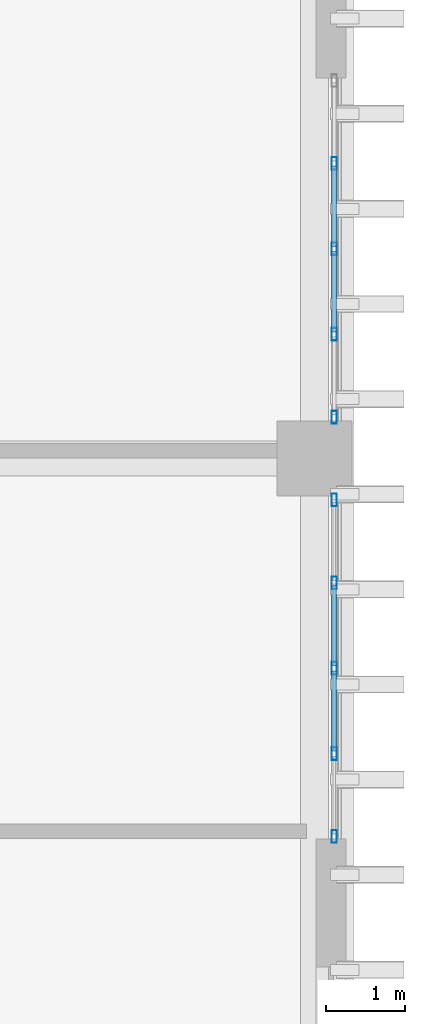
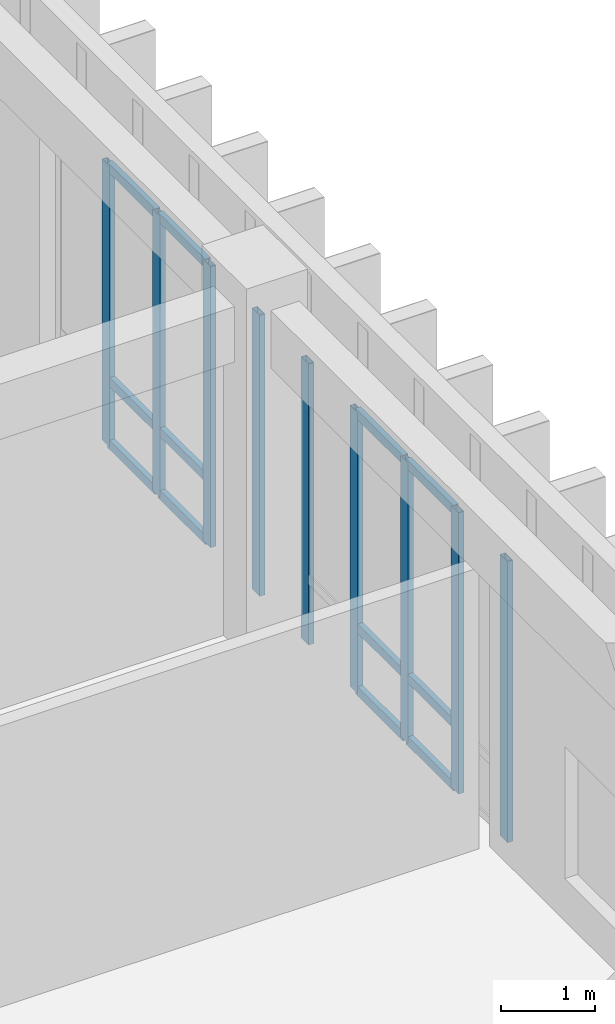
# One storey, part 59 of 133: 21 members, 2 elements without a shape of their own.
"""IFC4 building model written with IfcOpenShell, lengths in metres."""

from ifc_helpers import new_model, si_unit, direction, frame, origin, origin_2d, place, context, subcontext, project, spatial, hollow_rectangle, extrude, material, layer, layer_set, material_profile, profile_set, type_object, element, aggregate, save


model = new_model("IFC4")

# Units and contexts
model_context = context("Model", 3, precision=1e-05, world=origin(), true_north=direction((0.0, 1.0)))
body_context = subcontext(model_context, "Body", "Model", "MODEL_VIEW")
ifc_project = project(units=[si_unit("LENGTHUNIT", "METRE"), si_unit("AREAUNIT", "SQUARE_METRE"), si_unit("VOLUMEUNIT", "CUBIC_METRE"), si_unit("PLANEANGLEUNIT", "RADIAN"), si_unit("MASSUNIT", "GRAM", prefix="KILO")], contexts=[model_context])

# Site, building, storey
site_placement = place(None, origin())
site = spatial("IfcSite", under=ifc_project, at=site_placement, CompositionType="ELEMENT")
building_placement = place(site_placement, origin())
building = spatial("IfcBuilding", under=site, at=building_placement, Name="Nakhvara Creek Congress Hotel", CompositionType="ELEMENT")
storey_placement = place(building_placement, frame((0.0, 0.0, 11.39990234375)))
storey = spatial("IfcBuildingStorey", under=building, at=storey_placement, Name="L02", CompositionType="ELEMENT", Elevation=11.39990234375)

# Curtain wall, members
ifc_material_1 = material(Name="Bronze-anodised aluminium AW-6063-T6 and double-silver low-E glass", Category="aluminium")
ifc_layer = layer(ifc_material_1, 0.199951171875)
ifc_layer_set = layer_set([ifc_layer], Name="Bronze-anodised aluminium AW-6063-T6 and double-silver low-E glass")
curtain_wall_type = type_object("IfcCurtainWallType", Name="CW-HTL-UNIT", PredefinedType="USERDEFINED", material=ifc_layer_set)
curtain_wall_1_placement = place(storey_placement, origin())
curtain_wall_1 = element("IfcCurtainWall", 1, at=curtain_wall_1_placement, inside=storey, type_object=curtain_wall_type, Name="Curtain Wall CW130", ObjectType="UNITISED", PredefinedType="USERDEFINED")
ifc_material_2 = material(Name="Bronze-anodised aluminium AW-6063-T6", Category="aluminium")
ifc_material_profile_1 = material_profile(ifc_material_2, hollow_rectangle(XDim=0.06494140625, YDim=0.159912109375, WallThickness=0.00390625, at=origin_2d()), Name="ALU-MULL 65x160x4", Category="LoadBearing")
ifc_profile_set_1 = profile_set([ifc_material_profile_1], Name="Bronze-anodised aluminium AW-6063-T6")
member_type_1 = type_object("IfcMemberType", Name="CW-MULL-160", PredefinedType="MULLION", material=ifc_profile_set_1)
member_1_placement = place(storey_placement, frame((179.60009765625, 18.677490234375, 0.0), z_axis=(0.0, 0.0, 1.0), x_axis=(1.0, 0.0, 0.0)))
member_1 = element("IfcMember", 2, at=member_1_placement, type_object=member_type_1, Name="CW130 mullion 1", PredefinedType="MULLION", context=body_context, shape_type="SweptSolid", body=[
    extrude(hollow_rectangle(XDim=0.06494140625, YDim=0.159912109375, WallThickness=0.00390625, at=origin_2d()), origin(), (0.0, 0.0, 1.0), 3.662109375),
])
member_2_placement = place(storey_placement, frame((179.60009765625, 17.632568359375, 0.0), z_axis=(0.0, 0.0, 1.0), x_axis=(1.0, 0.0, 0.0)))
member_2 = element("IfcMember", 3, at=member_2_placement, type_object=member_type_1, Name="CW130 mullion 2", PredefinedType="MULLION", context=body_context, shape_type="SweptSolid", body=[
    extrude(hollow_rectangle(XDim=0.06494140625, YDim=0.159912109375, WallThickness=0.00390625, at=origin_2d()), origin(), (0.0, 0.0, 1.0), 3.662109375),
])
member_3_placement = place(storey_placement, frame((179.60009765625, 16.554931640625, 0.0), z_axis=(0.0, 0.0, 1.0), x_axis=(1.0, 0.0, 0.0)))
member_3 = element("IfcMember", 4, at=member_3_placement, type_object=member_type_1, Name="CW130 mullion 3", PredefinedType="MULLION", context=body_context, shape_type="SweptSolid", body=[
    extrude(hollow_rectangle(XDim=0.06494140625, YDim=0.159912109375, WallThickness=0.00390625, at=origin_2d()), origin(), (0.0, 0.0, 1.0), 3.662109375),
])
member_4_placement = place(storey_placement, frame((179.60009765625, 15.4775390625, 0.0), z_axis=(0.0, 0.0, 1.0), x_axis=(1.0, 0.0, 0.0)))
member_4 = element("IfcMember", 5, at=member_4_placement, type_object=member_type_1, Name="CW130 mullion 4", PredefinedType="MULLION", context=body_context, shape_type="SweptSolid", body=[
    extrude(hollow_rectangle(XDim=0.06494140625, YDim=0.159912109375, WallThickness=0.00390625, at=origin_2d()), origin(), (0.0, 0.0, 1.0), 3.662109375),
])
member_5_placement = place(storey_placement, frame((179.60009765625, 14.4326171875, 0.0), z_axis=(0.0, 0.0, 1.0), x_axis=(1.0, 0.0, 0.0)))
member_5 = element("IfcMember", 6, at=member_5_placement, type_object=member_type_1, Name="CW130 mullion 5", PredefinedType="MULLION", context=body_context, shape_type="SweptSolid", body=[
    extrude(hollow_rectangle(XDim=0.06494140625, YDim=0.159912109375, WallThickness=0.00390625, at=origin_2d()), origin(), (0.0, 0.0, 1.0), 3.662109375),
])

curtain_wall_2_placement = place(storey_placement, origin())
curtain_wall_2 = element("IfcCurtainWall", 7, at=curtain_wall_2_placement, inside=storey, type_object=curtain_wall_type, Name="Curtain Wall CW131", ObjectType="UNITISED", PredefinedType="USERDEFINED")
member_6_placement = place(storey_placement, frame((179.60009765625, 22.922607421875, 0.0), z_axis=(0.0, 0.0, 1.0), x_axis=(1.0, 0.0, 0.0)))
member_6 = element("IfcMember", 8, at=member_6_placement, type_object=member_type_1, Name="CW131 mullion 2", PredefinedType="MULLION", context=body_context, shape_type="SweptSolid", body=[
    extrude(hollow_rectangle(XDim=0.06494140625, YDim=0.159912109375, WallThickness=0.00390625, at=origin_2d()), origin(), (0.0, 0.0, 1.0), 3.662109375),
])
member_7_placement = place(storey_placement, frame((179.60009765625, 21.844970703125, 0.0), z_axis=(0.0, 0.0, 1.0), x_axis=(1.0, 0.0, 0.0)))
member_7 = element("IfcMember", 9, at=member_7_placement, type_object=member_type_1, Name="CW131 mullion 3", PredefinedType="MULLION", context=body_context, shape_type="SweptSolid", body=[
    extrude(hollow_rectangle(XDim=0.06494140625, YDim=0.159912109375, WallThickness=0.00390625, at=origin_2d()), origin(), (0.0, 0.0, 1.0), 3.662109375),
])
member_8_placement = place(storey_placement, frame((179.60009765625, 20.767578125, 0.0), z_axis=(0.0, 0.0, 1.0), x_axis=(1.0, 0.0, 0.0)))
member_8 = element("IfcMember", 10, at=member_8_placement, type_object=member_type_1, Name="CW131 mullion 4", PredefinedType="MULLION", context=body_context, shape_type="SweptSolid", body=[
    extrude(hollow_rectangle(XDim=0.06494140625, YDim=0.159912109375, WallThickness=0.00390625, at=origin_2d()), origin(), (0.0, 0.0, 1.0), 3.662109375),
])
member_9_placement = place(storey_placement, frame((179.60009765625, 19.722412109375, 0.0), z_axis=(0.0, 0.0, 1.0), x_axis=(1.0, 0.0, 0.0)))
member_9 = element("IfcMember", 11, at=member_9_placement, type_object=member_type_1, Name="CW131 mullion 5", PredefinedType="MULLION", context=body_context, shape_type="SweptSolid", body=[
    extrude(hollow_rectangle(XDim=0.06494140625, YDim=0.159912109375, WallThickness=0.00390625, at=origin_2d()), origin(), (0.0, 0.0, 1.0), 3.662109375),
])

# Member
ifc_material_profile_2 = material_profile(ifc_material_2, hollow_rectangle(XDim=0.06494140625, YDim=0.1201171875, WallThickness=0.00390625, at=origin_2d()), Name="ALU-TRAN 65x120x4", Category="LoadBearing")
ifc_profile_set_2 = profile_set([ifc_material_profile_2], Name="Bronze-anodised aluminium AW-6063-T6")
member_type_2 = type_object("IfcMemberType", Name="CW-TRAN-120", PredefinedType="USERDEFINED", material=ifc_profile_set_2)
member_10_placement = place(storey_placement, frame((179.60009765625, 17.60009765625, 0.03271484375), z_axis=(0.0, -1.0, 0.0), x_axis=(1.0, 0.0, 0.0)))
member_10 = element("IfcMember", 12, at=member_10_placement, type_object=member_type_2, Name="CW130 transom 2.1", ObjectType="TRANSOM", PredefinedType="USERDEFINED", context=body_context, shape_type="SweptSolid", body=[
    extrude(hollow_rectangle(XDim=0.06494140625, YDim=0.1201171875, WallThickness=0.00390625, at=origin_2d()), origin(), (0.0, 0.0, 1.0), 1.0126953125),
])

member_11_placement = place(storey_placement, frame((179.60009765625, 17.60009765625, 0.85009765625), z_axis=(0.0, -1.0, 0.0), x_axis=(1.0, 0.0, 0.0)))
member_11 = element("IfcMember", 13, at=member_11_placement, type_object=member_type_2, Name="CW130 transom 2.2", ObjectType="TRANSOM", PredefinedType="USERDEFINED", context=body_context, shape_type="SweptSolid", body=[
    extrude(hollow_rectangle(XDim=0.06494140625, YDim=0.1201171875, WallThickness=0.00390625, at=origin_2d()), origin(), (0.0, 0.0, 1.0), 1.0126953125),
])

member_12_placement = place(storey_placement, frame((179.60009765625, 17.60009765625, 3.629638671875), z_axis=(0.0, -1.0, 0.0), x_axis=(1.0, 0.0, 0.0)))
member_12 = element("IfcMember", 14, at=member_12_placement, type_object=member_type_2, Name="CW130 transom 2.3", ObjectType="TRANSOM", PredefinedType="USERDEFINED", context=body_context, shape_type="SweptSolid", body=[
    extrude(hollow_rectangle(XDim=0.06494140625, YDim=0.1201171875, WallThickness=0.00390625, at=origin_2d()), origin(), (0.0, 0.0, 1.0), 1.0126953125),
])

member_13_placement = place(storey_placement, frame((179.60009765625, 16.5224609375, 0.03271484375), z_axis=(0.0, -1.0, 0.0), x_axis=(1.0, 0.0, 0.0)))
member_13 = element("IfcMember", 15, at=member_13_placement, type_object=member_type_2, Name="CW130 transom 3.1", ObjectType="TRANSOM", PredefinedType="USERDEFINED", context=body_context, shape_type="SweptSolid", body=[
    extrude(hollow_rectangle(XDim=0.06494140625, YDim=0.1201171875, WallThickness=0.00390625, at=origin_2d()), origin(), (0.0, 0.0, 1.0), 1.012451171875),
])

member_14_placement = place(storey_placement, frame((179.60009765625, 16.5224609375, 0.85009765625), z_axis=(0.0, -1.0, 0.0), x_axis=(1.0, 0.0, 0.0)))
member_14 = element("IfcMember", 16, at=member_14_placement, type_object=member_type_2, Name="CW130 transom 3.2", ObjectType="TRANSOM", PredefinedType="USERDEFINED", context=body_context, shape_type="SweptSolid", body=[
    extrude(hollow_rectangle(XDim=0.06494140625, YDim=0.1201171875, WallThickness=0.00390625, at=origin_2d()), origin(), (0.0, 0.0, 1.0), 1.012451171875),
])

member_15_placement = place(storey_placement, frame((179.60009765625, 16.5224609375, 3.629638671875), z_axis=(0.0, -1.0, 0.0), x_axis=(1.0, 0.0, 0.0)))
member_15 = element("IfcMember", 17, at=member_15_placement, type_object=member_type_2, Name="CW130 transom 3.3", ObjectType="TRANSOM", PredefinedType="USERDEFINED", context=body_context, shape_type="SweptSolid", body=[
    extrude(hollow_rectangle(XDim=0.06494140625, YDim=0.1201171875, WallThickness=0.00390625, at=origin_2d()), origin(), (0.0, 0.0, 1.0), 1.012451171875),
])

aggregate(curtain_wall_1, [member_1, member_2, member_3, member_4, member_5, member_10, member_11, member_12, member_13, member_14, member_15])

member_16_placement = place(storey_placement, frame((179.60009765625, 22.889892578125, 0.03271484375), z_axis=(0.0, -1.0, 0.0), x_axis=(1.0, 0.0, 0.0)))
member_16 = element("IfcMember", 18, at=member_16_placement, type_object=member_type_2, Name="CW131 transom 2.1", ObjectType="TRANSOM", PredefinedType="USERDEFINED", context=body_context, shape_type="SweptSolid", body=[
    extrude(hollow_rectangle(XDim=0.06494140625, YDim=0.1201171875, WallThickness=0.00390625, at=origin_2d()), origin(), (0.0, 0.0, 1.0), 1.012451171875),
])

member_17_placement = place(storey_placement, frame((179.60009765625, 22.889892578125, 0.85009765625), z_axis=(0.0, -1.0, 0.0), x_axis=(1.0, 0.0, 0.0)))
member_17 = element("IfcMember", 19, at=member_17_placement, type_object=member_type_2, Name="CW131 transom 2.2", ObjectType="TRANSOM", PredefinedType="USERDEFINED", context=body_context, shape_type="SweptSolid", body=[
    extrude(hollow_rectangle(XDim=0.06494140625, YDim=0.1201171875, WallThickness=0.00390625, at=origin_2d()), origin(), (0.0, 0.0, 1.0), 1.012451171875),
])

member_18_placement = place(storey_placement, frame((179.60009765625, 22.889892578125, 3.629638671875), z_axis=(0.0, -1.0, 0.0), x_axis=(1.0, 0.0, 0.0)))
member_18 = element("IfcMember", 20, at=member_18_placement, type_object=member_type_2, Name="CW131 transom 2.3", ObjectType="TRANSOM", PredefinedType="USERDEFINED", context=body_context, shape_type="SweptSolid", body=[
    extrude(hollow_rectangle(XDim=0.06494140625, YDim=0.1201171875, WallThickness=0.00390625, at=origin_2d()), origin(), (0.0, 0.0, 1.0), 1.012451171875),
])

member_19_placement = place(storey_placement, frame((179.60009765625, 21.8125, 0.03271484375), z_axis=(0.0, -1.0, 0.0), x_axis=(1.0, 0.0, 0.0)))
member_19 = element("IfcMember", 21, at=member_19_placement, type_object=member_type_2, Name="CW131 transom 3.1", ObjectType="TRANSOM", PredefinedType="USERDEFINED", context=body_context, shape_type="SweptSolid", body=[
    extrude(hollow_rectangle(XDim=0.06494140625, YDim=0.1201171875, WallThickness=0.00390625, at=origin_2d()), origin(), (0.0, 0.0, 1.0), 1.012451171875),
])

member_20_placement = place(storey_placement, frame((179.60009765625, 21.8125, 0.85009765625), z_axis=(0.0, -1.0, 0.0), x_axis=(1.0, 0.0, 0.0)))
member_20 = element("IfcMember", 22, at=member_20_placement, type_object=member_type_2, Name="CW131 transom 3.2", ObjectType="TRANSOM", PredefinedType="USERDEFINED", context=body_context, shape_type="SweptSolid", body=[
    extrude(hollow_rectangle(XDim=0.06494140625, YDim=0.1201171875, WallThickness=0.00390625, at=origin_2d()), origin(), (0.0, 0.0, 1.0), 1.012451171875),
])

member_21_placement = place(storey_placement, frame((179.60009765625, 21.8125, 3.629638671875), z_axis=(0.0, -1.0, 0.0), x_axis=(1.0, 0.0, 0.0)))
member_21 = element("IfcMember", 23, at=member_21_placement, type_object=member_type_2, Name="CW131 transom 3.3", ObjectType="TRANSOM", PredefinedType="USERDEFINED", context=body_context, shape_type="SweptSolid", body=[
    extrude(hollow_rectangle(XDim=0.06494140625, YDim=0.1201171875, WallThickness=0.00390625, at=origin_2d()), origin(), (0.0, 0.0, 1.0), 1.012451171875),
])

aggregate(curtain_wall_2, [member_6, member_7, member_8, member_9, member_16, member_17, member_18, member_19, member_20, member_21])

save(model, "model.ifc")
